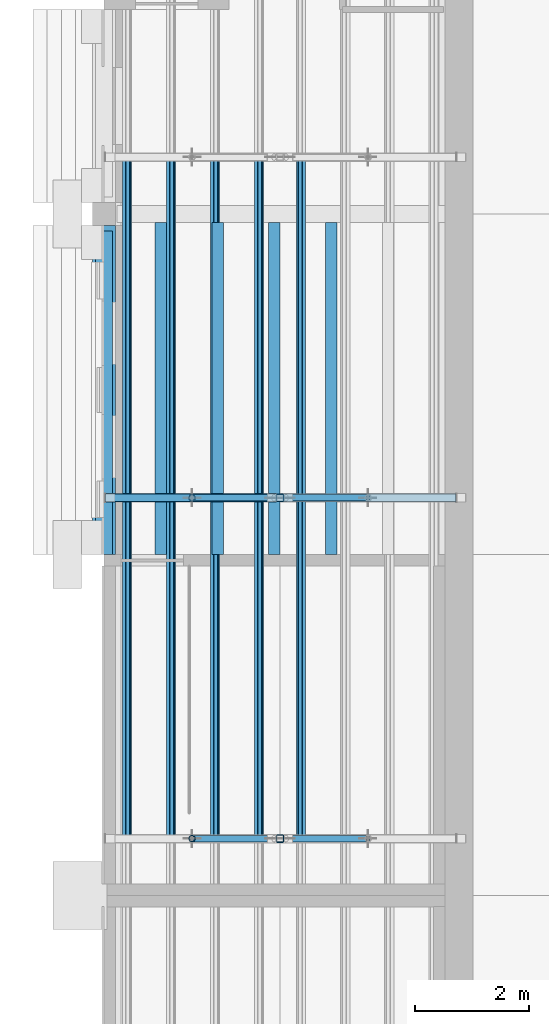
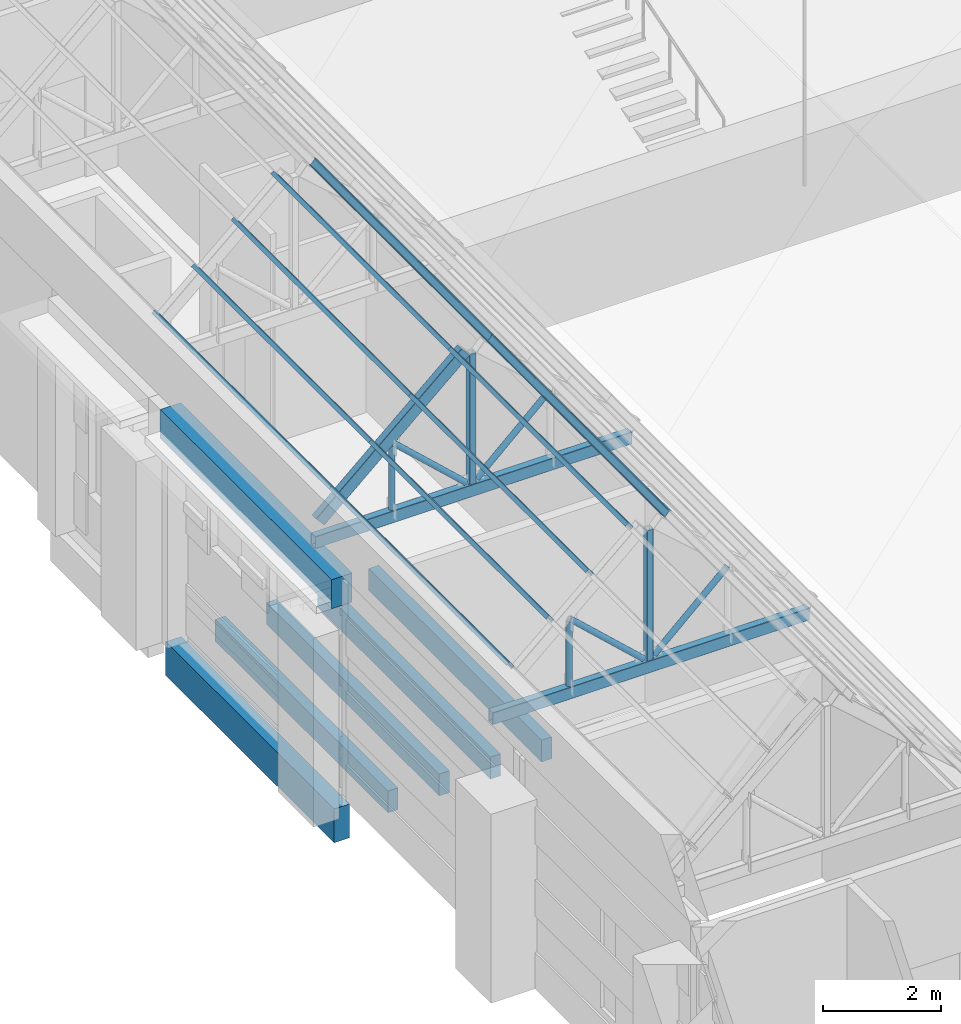
# One storey, part 36 of 118: 21 members, 6 beams.
"""IFC4 building model written with IfcOpenShell, lengths in metres."""

from ifc_helpers import new_model, si_unit, direction, frame, origin, origin_2d, place, context, subcontext, project, spatial, rectangle, hollow_rectangle, hollow_circle, i_section, extrude, material, material_profile, profile_set, type_object, element, save


model = new_model("IFC4")

# Units and contexts
model_context = context("Model", 3, precision=1e-05, world=origin(), true_north=direction((0.0, 1.0)))
body_context = subcontext(model_context, "Body", "Model", "MODEL_VIEW")
ifc_project = project(units=[si_unit("LENGTHUNIT", "METRE"), si_unit("AREAUNIT", "SQUARE_METRE"), si_unit("VOLUMEUNIT", "CUBIC_METRE"), si_unit("PLANEANGLEUNIT", "RADIAN"), si_unit("MASSUNIT", "GRAM", prefix="KILO")], contexts=[model_context])

# Site, building, storey
site_placement = place(None, origin())
site = spatial("IfcSite", under=ifc_project, at=site_placement, CompositionType="ELEMENT")
building_placement = place(site_placement, origin())
building = spatial("IfcBuilding", under=site, at=building_placement, Name="Saffron Lane Theatres", CompositionType="ELEMENT")
storey_placement = place(building_placement, frame((0.0, 0.0, 16.5)))
storey = spatial("IfcBuildingStorey", under=building, at=storey_placement, Name="L03", CompositionType="ELEMENT", Elevation=16.5)

# Beams
ifc_material_1 = material(Name="Concrete N40 (40 MPa)", Category="concrete")
ifc_material_profile_1 = material_profile(ifc_material_1, rectangle(XDim=0.300048828125, YDim=0.699951171875, at=origin_2d()))
ifc_profile_set_1 = profile_set([ifc_material_profile_1], Name="Concrete N40 (40 MPa)")
beam_type_1 = type_object("IfcBeamType", Name="RC-BEAM 300x700", PredefinedType="BEAM", material=ifc_profile_set_1)
beam_1_placement = place(storey_placement, frame((12.0, 72.0, -0.60009765625), z_axis=(0.0, 1.0, 0.0), x_axis=(-1.0, 0.0, 0.0)))
element("IfcBeam", 1, at=beam_1_placement, inside=storey, type_object=beam_type_1, Name="beam-L03-y120-720", PredefinedType="BEAM", context=body_context, shape_type="SweptSolid", body=[
    extrude(rectangle(XDim=0.300048828125, YDim=0.699951171875, at=origin_2d()), origin(), (0.0, 0.0, 1.0), 5.699951171875),
])
ifc_material_2 = material(Name="Concrete N40 (40 MPa)", Category="concrete")
ifc_material_profile_2 = material_profile(ifc_material_2, rectangle(XDim=0.39990234375, YDim=0.60009765625, at=origin_2d()))
ifc_profile_set_2 = profile_set([ifc_material_profile_2], Name="Concrete N40 (40 MPa)")
beam_type_2 = type_object("IfcBeamType", Name="RC-BEAM 400x600", PredefinedType="BEAM", material=ifc_profile_set_2)
beam_2_placement = place(storey_placement, frame((12.0, 72.0, 4.199951171875), z_axis=(0.0, 1.0, 0.0), x_axis=(-1.0, 0.0, 0.0)))
element("IfcBeam", 2, at=beam_2_placement, inside=storey, type_object=beam_type_2, Name="beam-roof-side-y120-4", PredefinedType="BEAM", context=body_context, shape_type="SweptSolid", body=[
    extrude(rectangle(XDim=0.39990234375, YDim=0.60009765625, at=origin_2d()), origin(), (0.0, 0.0, 1.0), 5.800048828125),
])
ifc_material_3 = material(Name="Concrete N40 (40 MPa)", Category="concrete")
ifc_material_profile_3 = material_profile(ifc_material_3, rectangle(XDim=0.199951171875, YDim=0.449951171875, at=origin_2d()))
ifc_profile_set_3 = profile_set([ifc_material_profile_3], Name="Concrete N40 (40 MPa)")
beam_type_3 = type_object("IfcBeamType", Name="RC-JOIST 200x450", PredefinedType="JOIST", material=ifc_profile_set_3)
for number, where, z_axis, x_axis, name in (
    (3, (13.0, 72.0, -0.47509765625), (0.0, 1.0, 0.0), (-1.0, 0.0, 0.0), "joist-L03-y1300-720"),
    (4, (14.0, 72.0, -0.47509765625), (0.0, 1.0, 0.0), (-1.0, 0.0, 0.0), "joist-L03-y1400-720"),
    (5, (15.0, 72.0, -0.47509765625), (0.0, 1.0, 0.0), (-1.0, 0.0, 0.0), "joist-L03-y1500-720"),
    (6, (16.0, 72.0, -0.47509765625), (0.0, 1.0, 0.0), (-1.0, 0.0, 0.0), "joist-L03-y1600-720"),
):
    element("IfcBeam", number, at=place(storey_placement, frame(where, z_axis=z_axis, x_axis=x_axis)), inside=storey, type_object=beam_type_3, Name=name, PredefinedType="JOIST", context=body_context, shape_type="SweptSolid", body=[
        extrude(rectangle(XDim=0.199951171875, YDim=0.449951171875, at=origin_2d()), origin(), (0.0, 0.0, 1.0), 5.85009765625),
    ])

# Members
ifc_material_4 = material(Name="Steel Grade 350", Category="steel")
ifc_material_profile_4 = material_profile(ifc_material_4, hollow_rectangle(XDim=0.125, YDim=0.125, WallThickness=0.006103515625, InnerFilletRadius=0.0029296875, OuterFilletRadius=0.009033203125, at=origin_2d()))
ifc_profile_set_4 = profile_set([ifc_material_profile_4], Name="Steel Grade 350")
member_type_1 = type_object("IfcMemberType", Name="ST-STUDIO POST 125x125x6 SHS", PredefinedType="POST", material=ifc_profile_set_4)
for number, where, z_axis, x_axis, name in (
    (7, (15.10009765625, 67.0, 4.75), (0.0, 0.0, 1.0), (1.0, 0.0, 0.0), "SB1-P20"),
    (8, (15.10009765625, 73.0, 4.75), (0.0, 0.0, 1.0), (1.0, 0.0, 0.0), "SB1-P28"),
):
    element("IfcMember", number, at=place(storey_placement, frame(where, z_axis=z_axis, x_axis=x_axis)), inside=storey, type_object=member_type_1, Name=name, PredefinedType="POST", context=body_context, shape_type="SweptSolid", body=[
        extrude(hollow_rectangle(XDim=0.125, YDim=0.125, WallThickness=0.006103515625, InnerFilletRadius=0.0029296875, OuterFilletRadius=0.009033203125, at=origin_2d()), origin(), (0.0, 0.0, 1.0), 2.69287109375),
    ])
ifc_material_5 = material(Name="Steel Grade 350", Category="steel")
ifc_material_profile_5 = material_profile(ifc_material_5, i_section(OverallWidth=0.074951171875, OverallDepth=0.155029296875, WebThickness=0.006103515625, FlangeThickness=0.009521484375, FilletRadius=0.008056640625, at=origin_2d()))
ifc_profile_set_5 = profile_set([ifc_material_profile_5], Name="Steel Grade 350")
member_type_2 = type_object("IfcMemberType", Name="ST-STUDIO PURLIN 150UB18.0", PredefinedType="PURLIN", material=ifc_profile_set_5)
for number, where, z_axis, x_axis, name in (
    (9, (12.40283203125, 67.0, 5.544677734375), (0.0, 1.0, 0.0), (-0.748268687469, 0.0, -0.663395787863), "SB1-U59"),
    (10, (12.40283203125, 73.0, 5.544677734375), (0.0, 1.0, 0.0), (-0.748268687469, 0.0, -0.663395787863), "SB1-U60"),
    (11, (13.177734375, 67.0, 6.23193359375), (0.0, 1.0, 0.0), (-0.748268687469, 0.0, -0.663395787863), "SB1-U65"),
    (12, (13.177734375, 73.0, 6.23193359375), (0.0, 1.0, 0.0), (-0.748268687469, 0.0, -0.663395787863), "SB1-U66"),
    (13, (13.95263671875, 67.0, 6.9189453125), (0.0, 1.0, 0.0), (-0.748268687469, 0.0, -0.663395787863), "SB1-U71"),
    (14, (13.95263671875, 73.0, 6.9189453125), (0.0, 1.0, 0.0), (-0.748268687469, 0.0, -0.663395787863), "SB1-U72"),
    (15, (14.727783203125, 67.0, 7.60595703125), (0.0, 1.0, 0.0), (-0.748268687469, 0.0, -0.663395787863), "SB1-U77"),
    (16, (14.727783203125, 73.0, 7.60595703125), (0.0, 1.0, 0.0), (-0.748268687469, 0.0, -0.663395787863), "SB1-U78"),
    (17, (15.47216796875, 67.0, 7.60595703125), (0.0, 1.0, 0.0), (-0.748268687469, 0.0, 0.663395787863), "SB1-U101"),
    (18, (15.47216796875, 73.0, 7.60595703125), (0.0, 1.0, 0.0), (-0.748268687469, 0.0, 0.663395787863), "SB1-U102"),
):
    element("IfcMember", number, at=place(storey_placement, frame(where, z_axis=z_axis, x_axis=x_axis)), inside=storey, type_object=member_type_2, Name=name, PredefinedType="PURLIN", context=body_context, shape_type="SweptSolid", body=[
        extrude(i_section(OverallWidth=0.074951171875, OverallDepth=0.155029296875, WebThickness=0.006103515625, FlangeThickness=0.009521484375, FilletRadius=0.008056640625, at=origin_2d()), origin(), (0.0, 0.0, 1.0), 6.0),
    ])
ifc_material_6 = material(Name="Steel Grade 350", Category="steel")
ifc_material_profile_6 = material_profile(ifc_material_6, hollow_rectangle(XDim=0.14990234375, YDim=0.25, WallThickness=0.009033203125, InnerFilletRadius=0.00439453125, OuterFilletRadius=0.013427734375, at=origin_2d()))
ifc_profile_set_6 = profile_set([ifc_material_profile_6], Name="Steel Grade 350")
member_type_3 = type_object("IfcMemberType", Name="ST-STUDIO TRUSS CHORD 250x150x9 RHS", PredefinedType="CHORD", material=ifc_profile_set_6)
for number, where, z_axis, x_axis, name in (
    (19, (12.02001953125, 67.0, 4.625), (1.0, 0.0, 0.0), (0.0, 1.0, 0.0), "SB1-T17"),
    (20, (12.02001953125, 73.0, 4.625), (1.0, 0.0, 0.0), (0.0, 1.0, 0.0), "SB1-T25"),
):
    element("IfcMember", number, at=place(storey_placement, frame(where, z_axis=z_axis, x_axis=x_axis)), inside=storey, type_object=member_type_3, Name=name, PredefinedType="CHORD", context=body_context, shape_type="SweptSolid", body=[
        extrude(hollow_rectangle(XDim=0.14990234375, YDim=0.25, WallThickness=0.009033203125, InnerFilletRadius=0.00439453125, OuterFilletRadius=0.013427734375, at=origin_2d()), origin(), (0.0, 0.0, 1.0), 6.179931640625),
    ])
member_1_placement = place(storey_placement, frame((12.113037109375, 73.0, 5.01708984375), z_axis=(0.748231613734, 0.0, 0.663437602348), x_axis=(0.0, 1.0, 0.0)))
element("IfcMember", 21, at=member_1_placement, inside=storey, type_object=member_type_3, Name="SB1-C26", PredefinedType="CHORD", context=body_context, shape_type="SweptSolid", body=[
    extrude(hollow_rectangle(XDim=0.14990234375, YDim=0.25, WallThickness=0.009033203125, InnerFilletRadius=0.00439453125, OuterFilletRadius=0.013427734375, at=origin_2d()), origin(), (0.0, 0.0, 1.0), 3.797607421875),
])
ifc_material_7 = material(Name="Steel Grade 350", Category="steel")
ifc_material_profile_7 = material_profile(ifc_material_7, hollow_circle(Radius=0.05712890625, WallThickness=0.006103515625, at=origin_2d()))
ifc_profile_set_7 = profile_set([ifc_material_profile_7], Name="Steel Grade 350")
member_type_4 = type_object("IfcMemberType", Name="ST-STUDIO TRUSS WEB 114.3x6.0 CHS", PredefinedType="BRACE", material=ifc_profile_set_7)
member_2_placement = place(storey_placement, frame((13.550048828125, 67.0, 4.75), z_axis=(0.0, 0.0, 1.0), x_axis=(1.0, 0.0, 0.0)))
element("IfcMember", 22, at=member_2_placement, inside=storey, type_object=member_type_4, Name="SB1-W21", PredefinedType="BRACE", context=body_context, shape_type="SweptSolid", body=[
    extrude(hollow_circle(Radius=0.05712890625, WallThickness=0.006103515625, at=origin_2d()), origin(), (0.0, 0.0, 1.0), 1.323486328125),
])
for number, where, z_axis, x_axis, name in (
    (23, (14.991943359375, 67.0, 4.7919921875), (-0.734492556675, 0.0, 0.678616743228), (0.0, -1.0, 0.0), "SB1-W23"),
    (24, (15.2080078125, 67.0, 4.7919921875), (0.734492556675, 0.0, 0.678616743228), (0.0, 1.0, 0.0), "SB1-W24"),
):
    element("IfcMember", number, at=place(storey_placement, frame(where, z_axis=z_axis, x_axis=x_axis)), inside=storey, type_object=member_type_4, Name=name, PredefinedType="BRACE", context=body_context, shape_type="SweptSolid", body=[
        extrude(hollow_circle(Radius=0.05712890625, WallThickness=0.006103515625, at=origin_2d()), origin(), (0.0, 0.0, 1.0), 1.95751953125),
    ])
member_3_placement = place(storey_placement, frame((13.550048828125, 73.0, 4.75), z_axis=(0.0, 0.0, 1.0), x_axis=(1.0, 0.0, 0.0)))
element("IfcMember", 25, at=member_3_placement, inside=storey, type_object=member_type_4, Name="SB1-W29", PredefinedType="BRACE", context=body_context, shape_type="SweptSolid", body=[
    extrude(hollow_circle(Radius=0.05712890625, WallThickness=0.006103515625, at=origin_2d()), origin(), (0.0, 0.0, 1.0), 1.323486328125),
])
for number, where, z_axis, x_axis, name in (
    (26, (14.991943359375, 73.0, 4.7919921875), (-0.734492556675, 0.0, 0.678616743228), (0.0, -1.0, 0.0), "SB1-W31"),
    (27, (15.2080078125, 73.0, 4.7919921875), (0.734492556675, 0.0, 0.678616743228), (0.0, 1.0, 0.0), "SB1-W32"),
):
    element("IfcMember", number, at=place(storey_placement, frame(where, z_axis=z_axis, x_axis=x_axis)), inside=storey, type_object=member_type_4, Name=name, PredefinedType="BRACE", context=body_context, shape_type="SweptSolid", body=[
        extrude(hollow_circle(Radius=0.05712890625, WallThickness=0.006103515625, at=origin_2d()), origin(), (0.0, 0.0, 1.0), 1.95751953125),
    ])

save(model, "model.ifc")
